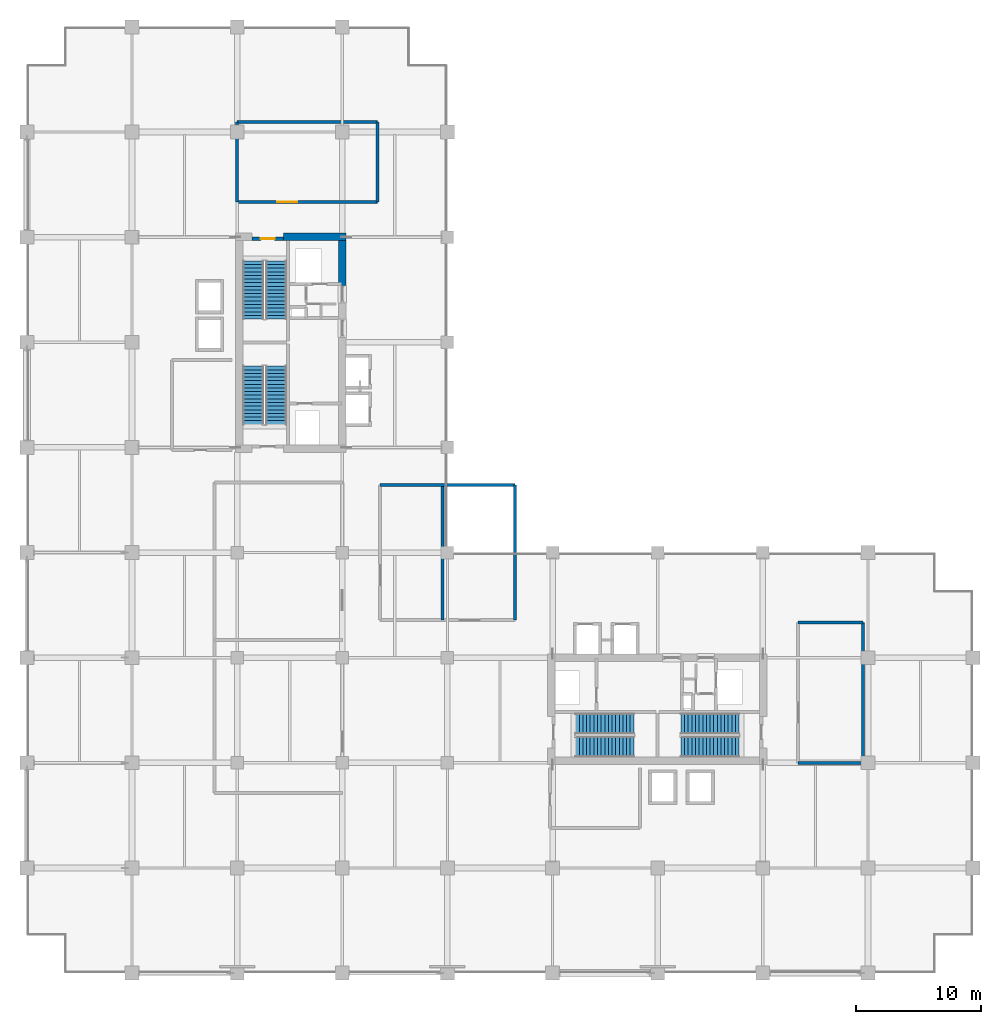
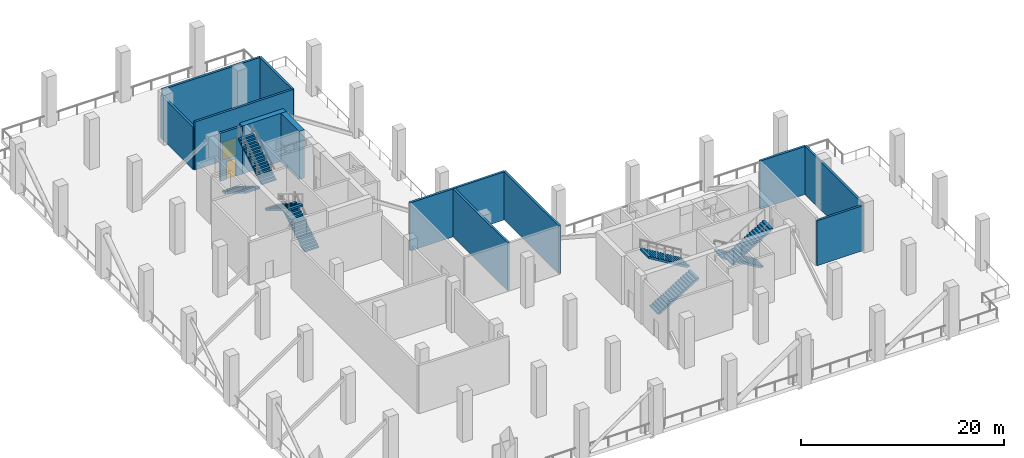
# One storey, part 13 of 18: 13 walls, 8 stair flights, 2 doors, 2 openings, 4 elements without a shape of their own.
"""IFC4 building model written with IfcOpenShell, lengths in metres."""

from ifc_helpers import new_model, si_unit, direction, frame, frame_2d, origin, place, context, subcontext, project, spatial, polyline, rectangle, outline, extrude, material, layer, layer_set, type_object, element, fill, aggregate, save


model = new_model("IFC4")

# Units and contexts
model_context = context("Model", 3, precision=1e-05, world=origin(), true_north=direction((0.0, 1.0)))
body_context = subcontext(model_context, "Body", "Model", "MODEL_VIEW")
ifc_project = project(units=[si_unit("LENGTHUNIT", "METRE"), si_unit("AREAUNIT", "SQUARE_METRE"), si_unit("VOLUMEUNIT", "CUBIC_METRE"), si_unit("PLANEANGLEUNIT", "RADIAN"), si_unit("MASSUNIT", "GRAM", prefix="KILO")], contexts=[model_context])

# Site, building, storey
site_placement = place(None, origin())
site = spatial("IfcSite", under=ifc_project, at=site_placement, CompositionType="ELEMENT")
building_placement = place(site_placement, origin())
building = spatial("IfcBuilding", under=site, at=building_placement, Name="Koriwani Terraces Tower", CompositionType="ELEMENT")
storey_placement = place(building_placement, frame((0.0, 0.0, 228.199951171875)))
storey = spatial("IfcBuildingStorey", under=building, at=storey_placement, Name="L56", CompositionType="ELEMENT", Elevation=228.199951171875)

# Walls
ifc_material_1 = material(Name="Concrete C60/75", Category="concrete")
ifc_layer_1 = layer(ifc_material_1, 0.60009765625, Name="Concrete C60/75")
ifc_layer_set_1 = layer_set([ifc_layer_1], Name="Concrete C60/75")
wall_type_1 = type_object("IfcWallType", Name="WALL_CORE_RC_600", PredefinedType="SHEAR", material=ifc_layer_set_1)
wall_1_placement = place(storey_placement, frame((20.5, 58.85009765625, 0.0), z_axis=(0.0, 0.0, 1.0), x_axis=(1.0, 0.0, 0.0)))
element("IfcWall", 1, at=wall_1_placement, inside=storey, type_object=wall_type_1, Name="L56 West Split Core Shear Wall N2", PredefinedType="SHEAR", context=body_context, shape_type="SweptSolid", body=[
    extrude(rectangle(XDim=5.0, YDim=0.60009765625, at=frame_2d((2.5, 0.0))), origin(), (0.0, 0.0, 1.0), 5.77001953125),
])
wall_2_placement = place(storey_placement, frame((25.199951171875, 54.949951171875, 0.0), z_axis=(0.0, 0.0, 1.0), x_axis=(0.0, 1.0, 0.0)))
element("IfcWall", 2, at=wall_2_placement, inside=storey, type_object=wall_type_1, Name="L56 West Split Core Shear Wall E3", PredefinedType="SHEAR", context=body_context, shape_type="SweptSolid", body=[
    extrude(rectangle(XDim=3.60009765625, YDim=0.60009765625, at=frame_2d((1.800048828125, 0.0))), origin(), (0.0, 0.0, 1.0), 5.77001953125),
])

# Wall, opening, door
ifc_material_2 = material(Name="Concrete C40/50", Category="concrete")
ifc_layer_2 = layer(ifc_material_2, 0.25, Name="Concrete C40/50")
ifc_layer_set_2 = layer_set([ifc_layer_2], Name="Concrete C40/50")
wall_type_2 = type_object("IfcWallType", Name="WALL_SHAFT_RATED_250", PredefinedType="SOLIDWALL", material=ifc_layer_set_2)
wall_3_placement = place(storey_placement, frame((18.0, 58.675048828125, 0.0), z_axis=(0.0, 0.0, 1.0), x_axis=(1.0, 0.0, 0.0)))
wall_3 = element("IfcWall", 3, at=wall_3_placement, inside=storey, type_object=wall_type_2, Name="L56 Interior Wall WIN-CW-L56-STN", PredefinedType="SOLIDWALL", context=body_context, shape_type="SweptSolid", body=[
    extrude(rectangle(XDim=2.5, YDim=0.25, at=frame_2d((1.25, 0.0))), origin(), (0.0, 0.0, 1.0), 5.77001953125),
])
opening_1_placement = place(wall_3_placement, frame((0.699951171875, 0.0, 0.0)))
opening_1 = element("IfcOpeningElement", 4, at=opening_1_placement, cuts=wall_3, Name="Opening D-03", PredefinedType="OPENING", context=body_context, shape_type="SweptSolid", body=[
    extrude(rectangle(XDim=1.10009765625, YDim=2.14990234375, at=frame_2d((0.550048828125, 1.074951171875))), frame((0.0, 0.135009765625, 0.0), z_axis=(0.0, -1.0, 0.0), x_axis=(1.0, 0.0, 0.0)), (0.0, 0.0, 1.0), 0.27001953125),
])
ifc_material_3 = material(Name="Steel ASTM A572 Grade 50", Category="steel")
door_type_1 = type_object("IfcDoorType", Name="DOOR_STAIR_FIRE_1100X2150", OperationType="NOTDEFINED", PredefinedType="DOOR", material=ifc_material_3)
door_1_placement = place(opening_1_placement, origin())
door_1 = element("IfcDoor", 5, at=door_1_placement, inside=storey, type_object=door_type_1, Name="L56 Exit Stair ST-W2 Door", OperationType="SINGLE_SWING_LEFT", OverallHeight=2.14990234375, OverallWidth=1.10009765625, PredefinedType="DOOR", context=body_context, shape_type="SweptSolid", body=[
    extrude(rectangle(XDim=1.10009765625, YDim=2.14990234375, at=frame_2d((0.550048828125, 1.074951171875))), frame((0.0, 0.02490234375, 0.0), z_axis=(0.0, -1.0, 0.0), x_axis=(1.0, 0.0, 0.0)), (0.0, 0.0, 1.0), 0.050048828125),
])
fill(opening_1, door_1)

wall_4_placement = place(storey_placement, frame((16.800048828125, 61.60009765625, 0.0), z_axis=(0.0, 0.0, 1.0), x_axis=(1.0, 0.0, 0.0)))
wall_4 = element("IfcWall", 6, at=wall_4_placement, inside=storey, type_object=wall_type_2, Name="L56 Interior Wall WREF-W1-L56", PredefinedType="SOLIDWALL", context=body_context, shape_type="SweptSolid", body=[
    extrude(rectangle(XDim=11.199951171875, YDim=0.25, at=frame_2d((5.60009765625, 0.0))), origin(), (0.0, 0.0, 1.0), 5.77001953125),
])
opening_2_placement = place(wall_4_placement, frame((3.199951171875, 0.0, 0.0)))
opening_2 = element("IfcOpeningElement", 7, at=opening_2_placement, cuts=wall_4, Name="Opening D-08", PredefinedType="OPENING", context=body_context, shape_type="SweptSolid", body=[
    extrude(rectangle(XDim=1.60009765625, YDim=2.199951171875, at=frame_2d((0.800048828125, 1.10009765625))), frame((0.0, 0.135009765625, 0.0), z_axis=(0.0, -1.0, 0.0), x_axis=(1.0, 0.0, 0.0)), (0.0, 0.0, 1.0), 0.27001953125),
])
door_type_2 = type_object("IfcDoorType", Name="DOOR_PLANT_DOUBLE_1600X2200", OperationType="NOTDEFINED", PredefinedType="DOOR", material=ifc_material_3)
door_2_placement = place(opening_2_placement, origin())
door_2 = element("IfcDoor", 8, at=door_2_placement, inside=storey, type_object=door_type_2, Name="L56 West Fire Refuge Area Door", OperationType="SINGLE_SWING_RIGHT", OverallHeight=2.199951171875, OverallWidth=1.60009765625, PredefinedType="DOOR", context=body_context, shape_type="SweptSolid", body=[
    extrude(rectangle(XDim=1.60009765625, YDim=2.199951171875, at=frame_2d((0.800048828125, 1.10009765625))), frame((0.0, 0.02490234375, 0.0), z_axis=(0.0, -1.0, 0.0), x_axis=(1.0, 0.0, 0.0)), (0.0, 0.0, 1.0), 0.050048828125),
])
fill(opening_2, door_2)

# Walls
wall_5_placement = place(storey_placement, frame((16.800048828125, 68.0, 0.0), z_axis=(0.0, 0.0, 1.0), x_axis=(1.0, 0.0, 0.0)))
element("IfcWall", 9, at=wall_5_placement, inside=storey, type_object=wall_type_2, Name="L56 Interior Wall WREF-W2-L56", PredefinedType="SOLIDWALL", context=body_context, shape_type="SweptSolid", body=[
    extrude(rectangle(XDim=11.199951171875, YDim=0.25, at=frame_2d((5.60009765625, 0.0))), origin(), (0.0, 0.0, 1.0), 5.77001953125),
])
wall_6_placement = place(storey_placement, frame((16.800048828125, 61.60009765625, 0.0), z_axis=(0.0, 0.0, 1.0), x_axis=(0.0, 1.0, 0.0)))
element("IfcWall", 10, at=wall_6_placement, inside=storey, type_object=wall_type_2, Name="L56 Interior Wall WREF-W3-L56", PredefinedType="SOLIDWALL", context=body_context, shape_type="SweptSolid", body=[
    extrude(rectangle(XDim=6.39990234375, YDim=0.25, at=frame_2d((3.199951171875, 0.0))), origin(), (0.0, 0.0, 1.0), 5.1201171875),
])
wall_7_placement = place(storey_placement, frame((28.0, 61.60009765625, 0.0), z_axis=(0.0, 0.0, 1.0), x_axis=(0.0, 1.0, 0.0)))
element("IfcWall", 11, at=wall_7_placement, inside=storey, type_object=wall_type_2, Name="L56 Interior Wall WREF-W4-L56", PredefinedType="SOLIDWALL", context=body_context, shape_type="SweptSolid", body=[
    extrude(rectangle(XDim=6.39990234375, YDim=0.25, at=frame_2d((3.199951171875, 0.0))), origin(), (0.0, 0.0, 1.0), 5.77001953125),
])
wall_8_placement = place(storey_placement, frame((66.800048828125, 16.800048828125, 0.0), z_axis=(0.0, 0.0, 1.0), x_axis=(0.0, 1.0, 0.0)))
element("IfcWall", 12, at=wall_8_placement, inside=storey, type_object=wall_type_2, Name="L56 Interior Wall WREF-E2-L56", PredefinedType="SOLIDWALL", context=body_context, shape_type="SweptSolid", body=[
    extrude(rectangle(XDim=11.199951171875, YDim=0.25, at=frame_2d((5.60009765625, 0.0))), origin(), (0.0, 0.0, 1.0), 5.77001953125),
])
wall_9_placement = place(storey_placement, frame((61.60009765625, 16.800048828125, 0.0), z_axis=(0.0, 0.0, 1.0), x_axis=(1.0, 0.0, 0.0)))
element("IfcWall", 13, at=wall_9_placement, inside=storey, type_object=wall_type_2, Name="L56 Interior Wall WREF-E3-L56", PredefinedType="SOLIDWALL", context=body_context, shape_type="SweptSolid", body=[
    extrude(rectangle(XDim=5.199951171875, YDim=0.25, at=frame_2d((2.60009765625, 0.0))), origin(), (0.0, 0.0, 1.0), 5.406982421875),
])
wall_10_placement = place(storey_placement, frame((61.60009765625, 28.0, 0.0), z_axis=(0.0, 0.0, 1.0), x_axis=(1.0, 0.0, 0.0)))
element("IfcWall", 14, at=wall_10_placement, inside=storey, type_object=wall_type_2, Name="L56 Interior Wall WREF-E4-L56", PredefinedType="SOLIDWALL", context=body_context, shape_type="SweptSolid", body=[
    extrude(rectangle(XDim=5.199951171875, YDim=0.25, at=frame_2d((2.60009765625, 0.0))), origin(), (0.0, 0.0, 1.0), 5.77001953125),
])
for number, where, z_axis, x_axis, name in (
    (15, (39.0, 28.199951171875, 0.0), (0.0, 0.0, 1.0), (0.0, 1.0, 0.0), "L56 Interior Wall WPL2-L56-E"),
    (16, (28.199951171875, 39.0, 0.0), (0.0, 0.0, 1.0), (1.0, 0.0, 0.0), "L56 Interior Wall WPL2-L56-N"),
    (17, (33.199951171875, 28.199951171875, 0.0), (0.0, 0.0, 1.0), (0.0, 1.0, 0.0), "L56 Interior Wall WPL2-L56-M"),
):
    element("IfcWall", number, at=place(storey_placement, frame(where, z_axis=z_axis, x_axis=x_axis)), inside=storey, type_object=wall_type_2, Name=name, PredefinedType="SOLIDWALL", context=body_context, shape_type="SweptSolid", body=[
        extrude(rectangle(XDim=10.800048828125, YDim=0.25, at=frame_2d((5.39990234375, 0.0))), origin(), (0.0, 0.0, 1.0), 5.77001953125),
    ])

# Stair, stair flights
stair_type = type_object("IfcStairType", Name="STAIR_CORE_DOGLEG_1650", PredefinedType="TWO_STRAIGHT_RUN_STAIR", material=ifc_material_2)
stair_1_placement = place(storey_placement, origin())
stair_1 = element("IfcStair", 18, at=stair_1_placement, inside=storey, type_object=stair_type, Name="L56 West Core Exit Stair 1", PredefinedType="HALF_TURN_STAIR")
stair_flight_type = type_object("IfcStairFlightType", Name="STAIR_FLIGHT_RC_1650", PredefinedType="STRAIGHT", material=ifc_material_2)
stair_flight_1_placement = place(storey_placement, frame((19.925048828125, 43.85009765625, 0.0), z_axis=(0.0, 0.0, 1.0), x_axis=(0.0, 1.0, 0.0)))
stair_flight_1 = element("IfcStairFlight", 19, at=stair_flight_1_placement, type_object=stair_flight_type, Name="ST-W1 flight 1", NumberOfRisers=17, NumberOfTreads=16, PredefinedType="STRAIGHT", RiserHeight=0.176470588, TreadLength=0.29, context=body_context, shape_type="SweptSolid", body=[
    extrude(outline(polyline([(0.0, 0.0), (0.0, 0.176513671875), (0.2900390625, 0.176513671875), (0.2900390625, 0.35302734375), (0.580078125, 0.35302734375), (0.580078125, 0.529296875), (0.8701171875, 0.529296875), (0.8701171875, 0.705810546875), (1.159912109375, 0.705810546875), (1.159912109375, 0.88232421875), (1.449951171875, 0.88232421875), (1.449951171875, 1.058837890625), (1.739990234375, 1.058837890625), (1.739990234375, 1.2353515625), (2.030029296875, 1.2353515625), (2.030029296875, 1.411865234375), (2.320068359375, 1.411865234375), (2.320068359375, 1.588134765625), (2.610107421875, 1.588134765625), (2.610107421875, 1.7646484375), (2.89990234375, 1.7646484375), (2.89990234375, 1.941162109375), (3.18994140625, 1.941162109375), (3.18994140625, 2.11767578125), (3.47998046875, 2.11767578125), (3.47998046875, 2.294189453125), (3.77001953125, 2.294189453125), (3.77001953125, 2.470703125), (4.06005859375, 2.470703125), (4.06005859375, 2.64697265625), (4.35009765625, 2.64697265625), (4.35009765625, 2.823486328125), (4.639892578125, 2.823486328125), (4.639892578125, 3.0), (4.639892578125, 2.61279296875), (0.34619140625, 0.0), (0.0, 0.0)])), frame((0.0, 0.824951171875, 0.0), z_axis=(0.0, -1.0, 0.0), x_axis=(1.0, 0.0, 0.0)), (0.0, 0.0, 1.0), 1.64990234375),
])
stair_flight_2_placement = place(storey_placement, frame((18.074951171875, 48.489990234375, 3.0), z_axis=(0.0, 0.0, 1.0), x_axis=(0.0, -1.0, 0.0)))
stair_flight_2 = element("IfcStairFlight", 20, at=stair_flight_2_placement, type_object=stair_flight_type, Name="ST-W1 flight 2", NumberOfRisers=17, NumberOfTreads=16, PredefinedType="STRAIGHT", RiserHeight=0.176470588, TreadLength=0.29, context=body_context, shape_type="SweptSolid", body=[
    extrude(outline(polyline([(0.0, 0.0), (0.0, 0.176513671875), (0.2900390625, 0.176513671875), (0.2900390625, 0.35302734375), (0.580078125, 0.35302734375), (0.580078125, 0.529296875), (0.8701171875, 0.529296875), (0.8701171875, 0.705810546875), (1.159912109375, 0.705810546875), (1.159912109375, 0.88232421875), (1.449951171875, 0.88232421875), (1.449951171875, 1.058837890625), (1.739990234375, 1.058837890625), (1.739990234375, 1.2353515625), (2.030029296875, 1.2353515625), (2.030029296875, 1.411865234375), (2.320068359375, 1.411865234375), (2.320068359375, 1.588134765625), (2.610107421875, 1.588134765625), (2.610107421875, 1.7646484375), (2.89990234375, 1.7646484375), (2.89990234375, 1.941162109375), (3.18994140625, 1.941162109375), (3.18994140625, 2.11767578125), (3.47998046875, 2.11767578125), (3.47998046875, 2.294189453125), (3.77001953125, 2.294189453125), (3.77001953125, 2.470703125), (4.06005859375, 2.470703125), (4.06005859375, 2.64697265625), (4.35009765625, 2.64697265625), (4.35009765625, 2.823486328125), (4.639892578125, 2.823486328125), (4.639892578125, 3.0), (4.639892578125, 2.61279296875), (0.34619140625, 0.0), (0.0, 0.0)])), frame((0.0, 0.824951171875, 0.0), z_axis=(0.0, -1.0, 0.0), x_axis=(1.0, 0.0, 0.0)), (0.0, 0.0, 1.0), 1.64990234375),
])
aggregate(stair_1, [stair_flight_1, stair_flight_2])

stair_2_placement = place(storey_placement, origin())
stair_2 = element("IfcStair", 21, at=stair_2_placement, inside=storey, type_object=stair_type, Name="L56 West Core Exit Stair 2", PredefinedType="HALF_TURN_STAIR")
stair_flight_3_placement = place(storey_placement, frame((18.074951171875, 56.89990234375, 0.0), z_axis=(0.0, 0.0, 1.0), x_axis=(0.0, -1.0, 0.0)))
stair_flight_3 = element("IfcStairFlight", 22, at=stair_flight_3_placement, type_object=stair_flight_type, Name="ST-W2 flight 1", NumberOfRisers=17, NumberOfTreads=16, PredefinedType="STRAIGHT", RiserHeight=0.176470588, TreadLength=0.29, context=body_context, shape_type="SweptSolid", body=[
    extrude(outline(polyline([(0.0, 0.0), (0.0, 0.176513671875), (0.2900390625, 0.176513671875), (0.2900390625, 0.35302734375), (0.580078125, 0.35302734375), (0.580078125, 0.529296875), (0.8701171875, 0.529296875), (0.8701171875, 0.705810546875), (1.159912109375, 0.705810546875), (1.159912109375, 0.88232421875), (1.449951171875, 0.88232421875), (1.449951171875, 1.058837890625), (1.739990234375, 1.058837890625), (1.739990234375, 1.2353515625), (2.030029296875, 1.2353515625), (2.030029296875, 1.411865234375), (2.320068359375, 1.411865234375), (2.320068359375, 1.588134765625), (2.610107421875, 1.588134765625), (2.610107421875, 1.7646484375), (2.89990234375, 1.7646484375), (2.89990234375, 1.941162109375), (3.18994140625, 1.941162109375), (3.18994140625, 2.11767578125), (3.47998046875, 2.11767578125), (3.47998046875, 2.294189453125), (3.77001953125, 2.294189453125), (3.77001953125, 2.470703125), (4.06005859375, 2.470703125), (4.06005859375, 2.64697265625), (4.35009765625, 2.64697265625), (4.35009765625, 2.823486328125), (4.639892578125, 2.823486328125), (4.639892578125, 3.0), (4.639892578125, 2.61279296875), (0.34619140625, 0.0), (0.0, 0.0)])), frame((0.0, 0.824951171875, 0.0), z_axis=(0.0, -1.0, 0.0), x_axis=(1.0, 0.0, 0.0)), (0.0, 0.0, 1.0), 1.64990234375),
])
stair_flight_4_placement = place(storey_placement, frame((19.925048828125, 52.260009765625, 3.0), z_axis=(0.0, 0.0, 1.0), x_axis=(0.0, 1.0, 0.0)))
stair_flight_4 = element("IfcStairFlight", 23, at=stair_flight_4_placement, type_object=stair_flight_type, Name="ST-W2 flight 2", NumberOfRisers=17, NumberOfTreads=16, PredefinedType="STRAIGHT", RiserHeight=0.176470588, TreadLength=0.29, context=body_context, shape_type="SweptSolid", body=[
    extrude(outline(polyline([(0.0, 0.0), (0.0, 0.176513671875), (0.2900390625, 0.176513671875), (0.2900390625, 0.35302734375), (0.580078125, 0.35302734375), (0.580078125, 0.529296875), (0.8701171875, 0.529296875), (0.8701171875, 0.705810546875), (1.159912109375, 0.705810546875), (1.159912109375, 0.88232421875), (1.449951171875, 0.88232421875), (1.449951171875, 1.058837890625), (1.739990234375, 1.058837890625), (1.739990234375, 1.2353515625), (2.030029296875, 1.2353515625), (2.030029296875, 1.411865234375), (2.320068359375, 1.411865234375), (2.320068359375, 1.588134765625), (2.610107421875, 1.588134765625), (2.610107421875, 1.7646484375), (2.89990234375, 1.7646484375), (2.89990234375, 1.941162109375), (3.18994140625, 1.941162109375), (3.18994140625, 2.11767578125), (3.47998046875, 2.11767578125), (3.47998046875, 2.294189453125), (3.77001953125, 2.294189453125), (3.77001953125, 2.470703125), (4.06005859375, 2.470703125), (4.06005859375, 2.64697265625), (4.35009765625, 2.64697265625), (4.35009765625, 2.823486328125), (4.639892578125, 2.823486328125), (4.639892578125, 3.0), (4.639892578125, 2.61279296875), (0.34619140625, 0.0), (0.0, 0.0)])), frame((0.0, 0.824951171875, 0.0), z_axis=(0.0, -1.0, 0.0), x_axis=(1.0, 0.0, 0.0)), (0.0, 0.0, 1.0), 1.64990234375),
])
aggregate(stair_2, [stair_flight_3, stair_flight_4])

stair_3_placement = place(storey_placement, origin())
stair_3 = element("IfcStair", 24, at=stair_3_placement, inside=storey, type_object=stair_type, Name="L56 East Core Exit Stair 1", PredefinedType="HALF_TURN_STAIR")
stair_flight_5_placement = place(storey_placement, frame((43.85009765625, 18.074951171875, 0.0), z_axis=(0.0, 0.0, 1.0), x_axis=(1.0, 0.0, 0.0)))
stair_flight_5 = element("IfcStairFlight", 25, at=stair_flight_5_placement, type_object=stair_flight_type, Name="ST-E1 flight 1", NumberOfRisers=17, NumberOfTreads=16, PredefinedType="STRAIGHT", RiserHeight=0.176470588, TreadLength=0.29, context=body_context, shape_type="SweptSolid", body=[
    extrude(outline(polyline([(0.0, 0.0), (0.0, 0.176513671875), (0.2900390625, 0.176513671875), (0.2900390625, 0.35302734375), (0.580078125, 0.35302734375), (0.580078125, 0.529296875), (0.8701171875, 0.529296875), (0.8701171875, 0.705810546875), (1.159912109375, 0.705810546875), (1.159912109375, 0.88232421875), (1.449951171875, 0.88232421875), (1.449951171875, 1.058837890625), (1.739990234375, 1.058837890625), (1.739990234375, 1.2353515625), (2.030029296875, 1.2353515625), (2.030029296875, 1.411865234375), (2.320068359375, 1.411865234375), (2.320068359375, 1.588134765625), (2.610107421875, 1.588134765625), (2.610107421875, 1.7646484375), (2.89990234375, 1.7646484375), (2.89990234375, 1.941162109375), (3.18994140625, 1.941162109375), (3.18994140625, 2.11767578125), (3.47998046875, 2.11767578125), (3.47998046875, 2.294189453125), (3.77001953125, 2.294189453125), (3.77001953125, 2.470703125), (4.06005859375, 2.470703125), (4.06005859375, 2.64697265625), (4.35009765625, 2.64697265625), (4.35009765625, 2.823486328125), (4.639892578125, 2.823486328125), (4.639892578125, 3.0), (4.639892578125, 2.61279296875), (0.34619140625, 0.0), (0.0, 0.0)])), frame((0.0, 0.824951171875, 0.0), z_axis=(0.0, -1.0, 0.0), x_axis=(1.0, 0.0, 0.0)), (0.0, 0.0, 1.0), 1.64990234375),
])
stair_flight_6_placement = place(storey_placement, frame((48.489990234375, 19.925048828125, 3.0), z_axis=(0.0, 0.0, 1.0), x_axis=(-1.0, 0.0, 0.0)))
stair_flight_6 = element("IfcStairFlight", 26, at=stair_flight_6_placement, type_object=stair_flight_type, Name="ST-E1 flight 2", NumberOfRisers=17, NumberOfTreads=16, PredefinedType="STRAIGHT", RiserHeight=0.176470588, TreadLength=0.29, context=body_context, shape_type="SweptSolid", body=[
    extrude(outline(polyline([(0.0, 0.0), (0.0, 0.176513671875), (0.2900390625, 0.176513671875), (0.2900390625, 0.35302734375), (0.580078125, 0.35302734375), (0.580078125, 0.529296875), (0.8701171875, 0.529296875), (0.8701171875, 0.705810546875), (1.159912109375, 0.705810546875), (1.159912109375, 0.88232421875), (1.449951171875, 0.88232421875), (1.449951171875, 1.058837890625), (1.739990234375, 1.058837890625), (1.739990234375, 1.2353515625), (2.030029296875, 1.2353515625), (2.030029296875, 1.411865234375), (2.320068359375, 1.411865234375), (2.320068359375, 1.588134765625), (2.610107421875, 1.588134765625), (2.610107421875, 1.7646484375), (2.89990234375, 1.7646484375), (2.89990234375, 1.941162109375), (3.18994140625, 1.941162109375), (3.18994140625, 2.11767578125), (3.47998046875, 2.11767578125), (3.47998046875, 2.294189453125), (3.77001953125, 2.294189453125), (3.77001953125, 2.470703125), (4.06005859375, 2.470703125), (4.06005859375, 2.64697265625), (4.35009765625, 2.64697265625), (4.35009765625, 2.823486328125), (4.639892578125, 2.823486328125), (4.639892578125, 3.0), (4.639892578125, 2.61279296875), (0.34619140625, 0.0), (0.0, 0.0)])), frame((0.0, 0.824951171875, 0.0), z_axis=(0.0, -1.0, 0.0), x_axis=(1.0, 0.0, 0.0)), (0.0, 0.0, 1.0), 1.64990234375),
])
aggregate(stair_3, [stair_flight_5, stair_flight_6])

stair_4_placement = place(storey_placement, origin())
stair_4 = element("IfcStair", 27, at=stair_4_placement, inside=storey, type_object=stair_type, Name="L56 East Core Exit Stair 2", PredefinedType="HALF_TURN_STAIR")
stair_flight_7_placement = place(storey_placement, frame((56.89990234375, 19.925048828125, 0.0), z_axis=(0.0, 0.0, 1.0), x_axis=(-1.0, 0.0, 0.0)))
stair_flight_7 = element("IfcStairFlight", 28, at=stair_flight_7_placement, type_object=stair_flight_type, Name="ST-E2 flight 1", NumberOfRisers=17, NumberOfTreads=16, PredefinedType="STRAIGHT", RiserHeight=0.176470588, TreadLength=0.29, context=body_context, shape_type="SweptSolid", body=[
    extrude(outline(polyline([(0.0, 0.0), (0.0, 0.176513671875), (0.2900390625, 0.176513671875), (0.2900390625, 0.35302734375), (0.580078125, 0.35302734375), (0.580078125, 0.529296875), (0.8701171875, 0.529296875), (0.8701171875, 0.705810546875), (1.159912109375, 0.705810546875), (1.159912109375, 0.88232421875), (1.449951171875, 0.88232421875), (1.449951171875, 1.058837890625), (1.739990234375, 1.058837890625), (1.739990234375, 1.2353515625), (2.030029296875, 1.2353515625), (2.030029296875, 1.411865234375), (2.320068359375, 1.411865234375), (2.320068359375, 1.588134765625), (2.610107421875, 1.588134765625), (2.610107421875, 1.7646484375), (2.89990234375, 1.7646484375), (2.89990234375, 1.941162109375), (3.18994140625, 1.941162109375), (3.18994140625, 2.11767578125), (3.47998046875, 2.11767578125), (3.47998046875, 2.294189453125), (3.77001953125, 2.294189453125), (3.77001953125, 2.470703125), (4.06005859375, 2.470703125), (4.06005859375, 2.64697265625), (4.35009765625, 2.64697265625), (4.35009765625, 2.823486328125), (4.639892578125, 2.823486328125), (4.639892578125, 3.0), (4.639892578125, 2.61279296875), (0.34619140625, 0.0), (0.0, 0.0)])), frame((0.0, 0.824951171875, 0.0), z_axis=(0.0, -1.0, 0.0), x_axis=(1.0, 0.0, 0.0)), (0.0, 0.0, 1.0), 1.64990234375),
])
stair_flight_8_placement = place(storey_placement, frame((52.260009765625, 18.074951171875, 3.0), z_axis=(0.0, 0.0, 1.0), x_axis=(1.0, 0.0, 0.0)))
stair_flight_8 = element("IfcStairFlight", 29, at=stair_flight_8_placement, type_object=stair_flight_type, Name="ST-E2 flight 2", NumberOfRisers=17, NumberOfTreads=16, PredefinedType="STRAIGHT", RiserHeight=0.176470588, TreadLength=0.29, context=body_context, shape_type="SweptSolid", body=[
    extrude(outline(polyline([(0.0, 0.0), (0.0, 0.176513671875), (0.2900390625, 0.176513671875), (0.2900390625, 0.35302734375), (0.580078125, 0.35302734375), (0.580078125, 0.529296875), (0.8701171875, 0.529296875), (0.8701171875, 0.705810546875), (1.159912109375, 0.705810546875), (1.159912109375, 0.88232421875), (1.449951171875, 0.88232421875), (1.449951171875, 1.058837890625), (1.739990234375, 1.058837890625), (1.739990234375, 1.2353515625), (2.030029296875, 1.2353515625), (2.030029296875, 1.411865234375), (2.320068359375, 1.411865234375), (2.320068359375, 1.588134765625), (2.610107421875, 1.588134765625), (2.610107421875, 1.7646484375), (2.89990234375, 1.7646484375), (2.89990234375, 1.941162109375), (3.18994140625, 1.941162109375), (3.18994140625, 2.11767578125), (3.47998046875, 2.11767578125), (3.47998046875, 2.294189453125), (3.77001953125, 2.294189453125), (3.77001953125, 2.470703125), (4.06005859375, 2.470703125), (4.06005859375, 2.64697265625), (4.35009765625, 2.64697265625), (4.35009765625, 2.823486328125), (4.639892578125, 2.823486328125), (4.639892578125, 3.0), (4.639892578125, 2.61279296875), (0.34619140625, 0.0), (0.0, 0.0)])), frame((0.0, 0.824951171875, 0.0), z_axis=(0.0, -1.0, 0.0), x_axis=(1.0, 0.0, 0.0)), (0.0, 0.0, 1.0), 1.64990234375),
])
aggregate(stair_4, [stair_flight_7, stair_flight_8])

save(model, "model.ifc")
